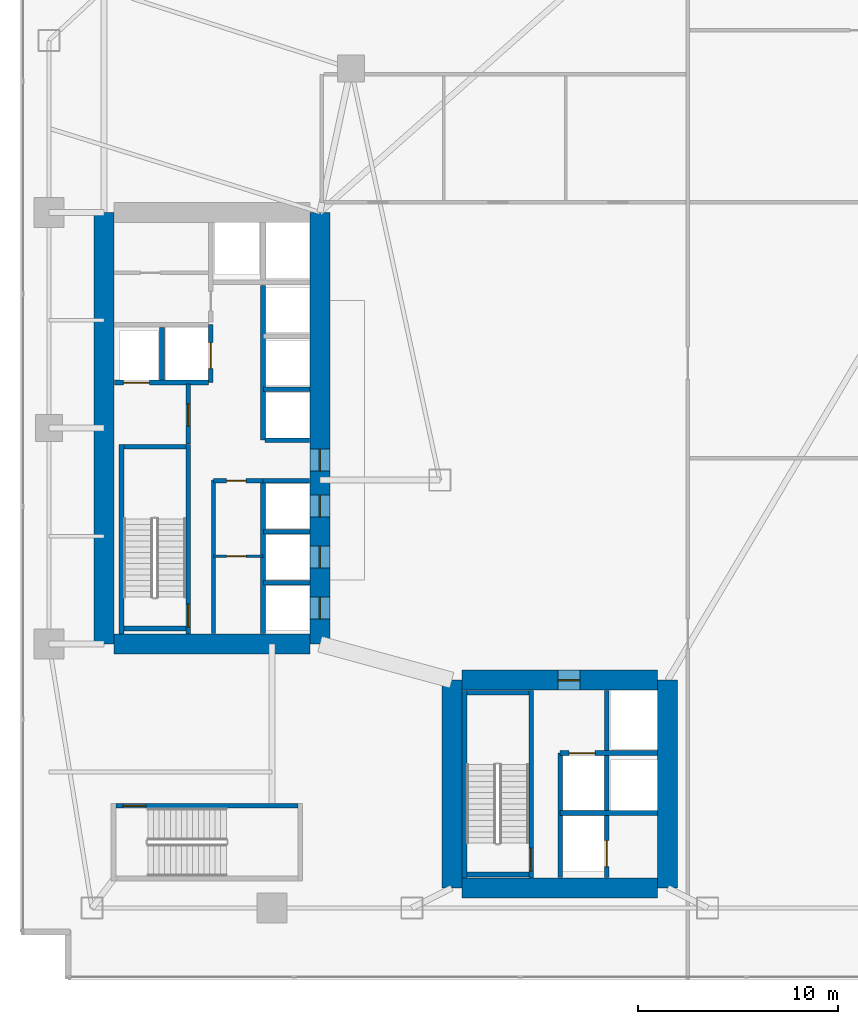
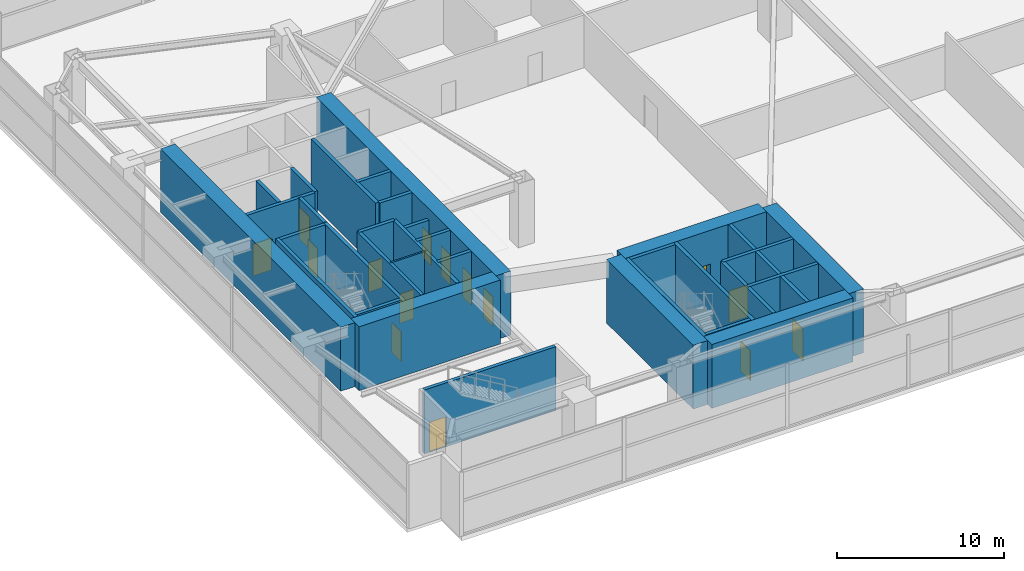
# One storey, part 30 of 35: 34 walls, 15 doors, 15 openings.
"""IFC4 building model written with IfcOpenShell, lengths in metres."""

from ifc_helpers import new_model, si_unit, direction, frame, frame_2d, origin, place, context, subcontext, project, spatial, rectangle, extrude, material, layer, layer_set, type_object, element, fill, save


model = new_model("IFC4")

# Units and contexts
model_context = context("Model", 3, precision=1e-05, world=origin(), true_north=direction((0.0, 1.0)))
body_context = subcontext(model_context, "Body", "Model", "MODEL_VIEW")
ifc_project = project(units=[si_unit("LENGTHUNIT", "METRE"), si_unit("AREAUNIT", "SQUARE_METRE"), si_unit("VOLUMEUNIT", "CUBIC_METRE"), si_unit("PLANEANGLEUNIT", "RADIAN"), si_unit("MASSUNIT", "GRAM", prefix="KILO")], contexts=[model_context])

# Site, building, storey
site_placement = place(None, origin())
site = spatial("IfcSite", under=ifc_project, at=site_placement, CompositionType="ELEMENT")
building_placement = place(site_placement, origin())
building = spatial("IfcBuilding", under=site, at=building_placement, Name="Calvorn Quay Hotel", CompositionType="ELEMENT")
storey_placement = place(building_placement, frame((0.0, 0.0, 12.0)))
storey = spatial("IfcBuildingStorey", under=building, at=storey_placement, Name="L02", CompositionType="ELEMENT", Elevation=12.0)

# Wall
ifc_material_1 = material(Name="Concrete C60", Category="concrete")
ifc_layer_1 = layer(ifc_material_1, 1.0)
ifc_layer_set_1 = layer_set([ifc_layer_1], Name="WL-CORE-1000")
wall_type_1 = type_object("IfcWallType", Name="WL-CORE-1000", PredefinedType="SHEAR", material=ifc_layer_set_1)
wall_1_placement = place(storey_placement, frame((4.199951171875, 16.800048828125, 0.0), z_axis=(0.0, 0.0, 1.0), x_axis=(0.0, 1.0, 0.0)))
element("IfcWall", 1, at=wall_1_placement, inside=storey, type_object=wall_type_1, Name="West Core Shear Wall W (L02)", PredefinedType="SHEAR", context=body_context, shape_type="SweptSolid", body=[
    extrude(rectangle(XDim=21.599853515625, YDim=1.0, at=frame_2d((10.7998046875, 0.0))), origin(), (0.0, 0.0, 1.0), 4.679931640625),
])

# Wall, openings, doors
wall_2_placement = place(storey_placement, frame((15.0, 16.800048828125, 0.0), z_axis=(0.0, 0.0, 1.0), x_axis=(0.0, 1.0, 0.0)))
wall_2 = element("IfcWall", 2, at=wall_2_placement, inside=storey, type_object=wall_type_1, Name="West Core Shear Wall E (L02)", PredefinedType="SHEAR", context=body_context, shape_type="SweptSolid", body=[
    extrude(rectangle(XDim=21.599853515625, YDim=1.0, at=frame_2d((10.7998046875, 0.0))), origin(), (0.0, 0.0, 1.0), 4.679931640625),
])
opening_1_placement = place(wall_2_placement, frame((8.64990234375, 0.0, 0.0)))
opening_1 = element("IfcOpeningElement", 3, at=opening_1_placement, cuts=wall_2, Name="Opening D-L02-CW1", PredefinedType="OPENING", context=body_context, shape_type="SweptSolid", body=[
    extrude(rectangle(XDim=1.10009765625, YDim=2.199951171875, at=frame_2d((0.550048828125, 1.10009765625))), frame((0.0, 0.510009765625, 0.0), z_axis=(0.0, -1.0, 0.0), x_axis=(1.0, 0.0, 0.0)), (0.0, 0.0, 1.0), 1.02001953125),
])
opening_2_placement = place(wall_2_placement, frame((1.25, 0.0, 0.0)))
opening_2 = element("IfcOpeningElement", 4, at=opening_2_placement, cuts=wall_2, Name="Opening LD-L02-L1", PredefinedType="OPENING", context=body_context, shape_type="SweptSolid", body=[
    extrude(rectangle(XDim=1.10009765625, YDim=2.199951171875, at=frame_2d((0.550048828125, 1.10009765625))), frame((0.0, 0.510009765625, 0.0), z_axis=(0.0, -1.0, 0.0), x_axis=(1.0, 0.0, 0.0)), (0.0, 0.0, 1.0), 1.02001953125),
])
opening_3_placement = place(wall_2_placement, frame((3.800048828125, 0.0, 0.0)))
opening_3 = element("IfcOpeningElement", 5, at=opening_3_placement, cuts=wall_2, Name="Opening LD-L02-L2", PredefinedType="OPENING", context=body_context, shape_type="SweptSolid", body=[
    extrude(rectangle(XDim=1.10009765625, YDim=2.199951171875, at=frame_2d((0.550048828125, 1.10009765625))), frame((0.0, 0.510009765625, 0.0), z_axis=(0.0, -1.0, 0.0), x_axis=(1.0, 0.0, 0.0)), (0.0, 0.0, 1.0), 1.02001953125),
])
opening_4_placement = place(wall_2_placement, frame((6.35009765625, 0.0, 0.0)))
opening_4 = element("IfcOpeningElement", 6, at=opening_4_placement, cuts=wall_2, Name="Opening LD-L02-L3", PredefinedType="OPENING", context=body_context, shape_type="SweptSolid", body=[
    extrude(rectangle(XDim=1.10009765625, YDim=2.199951171875, at=frame_2d((0.550048828125, 1.10009765625))), frame((0.0, 0.510009765625, 0.0), z_axis=(0.0, -1.0, 0.0), x_axis=(1.0, 0.0, 0.0)), (0.0, 0.0, 1.0), 1.02001953125),
])
ifc_material_2 = material(Name="Smoke-Sealed Steel Class A Fire Door", Category="steel")
door_type_1 = type_object("IfcDoorType", Name="DR-FFLOBBY-1100", OperationType="NOTDEFINED", PredefinedType="DOOR", material=ifc_material_2)
door_1_placement = place(opening_1_placement, origin())
door_1 = element("IfcDoor", 7, at=door_1_placement, inside=storey, type_object=door_type_1, Name="West Core Vestibule Fire Door (L02)", OperationType="SINGLE_SWING_LEFT", OverallHeight=2.199951171875, OverallWidth=1.10009765625, PredefinedType="DOOR", context=body_context, shape_type="SweptSolid", body=[
    extrude(rectangle(XDim=1.10009765625, YDim=2.199951171875, at=frame_2d((0.550048828125, 1.10009765625))), frame((0.0, 0.02490234375, 0.0), z_axis=(0.0, -1.0, 0.0), x_axis=(1.0, 0.0, 0.0)), (0.0, 0.0, 1.0), 0.050048828125),
])
fill(opening_1, door_1)
ifc_material_3 = material(Name="Brushed Stainless Steel Sliding Lift Landing Door", Category="steel")
door_type_2 = type_object("IfcDoorType", Name="DR-LIFT-PASS-1100", OperationType="NOTDEFINED", PredefinedType="DOOR", material=ifc_material_3)
door_2_placement = place(opening_2_placement, origin())
door_2 = element("IfcDoor", 8, at=door_2_placement, inside=storey, type_object=door_type_2, Name="Low-Rise Lift PL-L1 Landing Door (L02)", OperationType="DOUBLE_DOOR_SLIDING", OverallHeight=2.199951171875, OverallWidth=1.10009765625, PredefinedType="DOOR", context=body_context, shape_type="SweptSolid", body=[
    extrude(rectangle(XDim=1.10009765625, YDim=2.199951171875, at=frame_2d((0.550048828125, 1.10009765625))), frame((0.0, 0.02490234375, 0.0), z_axis=(0.0, -1.0, 0.0), x_axis=(1.0, 0.0, 0.0)), (0.0, 0.0, 1.0), 0.050048828125),
])
fill(opening_2, door_2)
door_3_placement = place(opening_3_placement, origin())
door_3 = element("IfcDoor", 9, at=door_3_placement, inside=storey, type_object=door_type_2, Name="Low-Rise Lift PL-L2 Landing Door (L02)", OperationType="DOUBLE_DOOR_SLIDING", OverallHeight=2.199951171875, OverallWidth=1.10009765625, PredefinedType="DOOR", context=body_context, shape_type="SweptSolid", body=[
    extrude(rectangle(XDim=1.10009765625, YDim=2.199951171875, at=frame_2d((0.550048828125, 1.10009765625))), frame((0.0, 0.02490234375, 0.0), z_axis=(0.0, -1.0, 0.0), x_axis=(1.0, 0.0, 0.0)), (0.0, 0.0, 1.0), 0.050048828125),
])
fill(opening_3, door_3)
door_4_placement = place(opening_4_placement, origin())
door_4 = element("IfcDoor", 10, at=door_4_placement, inside=storey, type_object=door_type_2, Name="Low-Rise Lift PL-L3 Landing Door (L02)", OperationType="DOUBLE_DOOR_SLIDING", OverallHeight=2.199951171875, OverallWidth=1.10009765625, PredefinedType="DOOR", context=body_context, shape_type="SweptSolid", body=[
    extrude(rectangle(XDim=1.10009765625, YDim=2.199951171875, at=frame_2d((0.550048828125, 1.10009765625))), frame((0.0, 0.02490234375, 0.0), z_axis=(0.0, -1.0, 0.0), x_axis=(1.0, 0.0, 0.0)), (0.0, 0.0, 1.0), 0.050048828125),
])
fill(opening_4, door_4)

# Walls
wall_3_placement = place(storey_placement, frame((4.699951171875, 16.800048828125, 0.0), z_axis=(0.0, 0.0, 1.0), x_axis=(1.0, 0.0, 0.0)))
element("IfcWall", 11, at=wall_3_placement, inside=storey, type_object=wall_type_1, Name="West Core Shear Wall S (L02)", PredefinedType="SHEAR", context=body_context, shape_type="SweptSolid", body=[
    extrude(rectangle(XDim=9.800048828125, YDim=1.0, at=frame_2d((4.89990234375, 0.0))), origin(), (0.0, 0.0, 1.0), 4.679931640625),
])
for number, where, z_axis, x_axis, name in (
    (12, (21.60009765625, 4.60009765625, 0.0), (0.0, 0.0, 1.0), (0.0, 1.0, 0.0), "East Core Shear Wall W (L02)"),
    (13, (32.39990234375, 4.60009765625, 0.0), (0.0, 0.0, 1.0), (0.0, 1.0, 0.0), "East Core Shear Wall E (L02)"),
):
    element("IfcWall", number, at=place(storey_placement, frame(where, z_axis=z_axis, x_axis=x_axis)), inside=storey, type_object=wall_type_1, Name=name, PredefinedType="SHEAR", context=body_context, shape_type="SweptSolid", body=[
        extrude(rectangle(XDim=10.39990234375, YDim=1.0, at=frame_2d((5.199951171875, 0.0))), origin(), (0.0, 0.0, 1.0), 4.679931640625),
    ])

# Wall, opening, door
wall_4_placement = place(storey_placement, frame((22.10009765625, 15.0, 0.0), z_axis=(0.0, 0.0, 1.0), x_axis=(1.0, 0.0, 0.0)))
wall_4 = element("IfcWall", 14, at=wall_4_placement, inside=storey, type_object=wall_type_1, Name="East Core Shear Wall N (L02)", PredefinedType="SHEAR", context=body_context, shape_type="SweptSolid", body=[
    extrude(rectangle(XDim=9.7998046875, YDim=1.0, at=frame_2d((4.89990234375, 0.0))), origin(), (0.0, 0.0, 1.0), 4.679931640625),
])
opening_5_placement = place(wall_4_placement, frame((4.800048828125, 0.0, 0.0)))
opening_5 = element("IfcOpeningElement", 15, at=opening_5_placement, cuts=wall_4, Name="Opening D-L02-FLE", PredefinedType="OPENING", context=body_context, shape_type="SweptSolid", body=[
    extrude(rectangle(XDim=1.10009765625, YDim=2.199951171875, at=frame_2d((0.550048828125, 1.10009765625))), frame((0.0, 0.510009765625, 0.0), z_axis=(0.0, -1.0, 0.0), x_axis=(1.0, 0.0, 0.0)), (0.0, 0.0, 1.0), 1.02001953125),
])
door_5_placement = place(opening_5_placement, origin())
door_5 = element("IfcDoor", 16, at=door_5_placement, inside=storey, type_object=door_type_1, Name="East Firefighting Lobby Fire Door (L02)", OperationType="SINGLE_SWING_RIGHT", OverallHeight=2.199951171875, OverallWidth=1.10009765625, PredefinedType="DOOR", context=body_context, shape_type="SweptSolid", body=[
    extrude(rectangle(XDim=1.10009765625, YDim=2.199951171875, at=frame_2d((0.550048828125, 1.10009765625))), frame((0.0, 0.02490234375, 0.0), z_axis=(0.0, -1.0, 0.0), x_axis=(1.0, 0.0, 0.0)), (0.0, 0.0, 1.0), 0.050048828125),
])
fill(opening_5, door_5)

# Wall
wall_5_placement = place(storey_placement, frame((22.10009765625, 4.60009765625, 0.0), z_axis=(0.0, 0.0, 1.0), x_axis=(1.0, 0.0, 0.0)))
element("IfcWall", 17, at=wall_5_placement, inside=storey, type_object=wall_type_1, Name="East Core Shear Wall S (L02)", PredefinedType="SHEAR", context=body_context, shape_type="SweptSolid", body=[
    extrude(rectangle(XDim=9.7998046875, YDim=1.0, at=frame_2d((4.89990234375, 0.0))), origin(), (0.0, 0.0, 1.0), 4.679931640625),
])

# Wall, opening, door
ifc_material_4 = material(Name="Moisture-Resistant Tile-Backed Partition")
ifc_layer_2 = layer(ifc_material_4, 0.125)
ifc_layer_set_2 = layer_set([ifc_layer_2], Name="WL-ENSUITE-125")
wall_type_2 = type_object("IfcWallType", Name="WL-ENSUITE-125", PredefinedType="PARTITIONING", material=ifc_layer_set_2)
wall_6_placement = place(storey_placement, frame((9.679931640625, 21.199951171875, 0.0), z_axis=(0.0, 0.0, 1.0), x_axis=(1.0, 0.0, 0.0)))
wall_6 = element("IfcWall", 18, at=wall_6_placement, inside=storey, type_object=wall_type_2, Name="Partition Wall L02-WL-CWW-SER-M", PredefinedType="PARTITIONING", context=body_context, shape_type="SweptSolid", body=[
    extrude(rectangle(XDim=2.469970703125, YDim=0.125, at=frame_2d((1.23486328125, 0.0))), origin(), (0.0, 0.0, 1.0), 4.679931640625),
])
opening_6_placement = place(wall_6_placement, frame((0.64990234375, 0.0, 0.0)))
opening_6 = element("IfcOpeningElement", 19, at=opening_6_placement, cuts=wall_6, Name="Opening D-L02-CSM", PredefinedType="OPENING", context=body_context, shape_type="SweptSolid", body=[
    extrude(rectangle(XDim=0.97998046875, YDim=2.14990234375, at=frame_2d((0.489990234375, 1.074951171875))), frame((0.0, 0.072509765625, 0.0), z_axis=(0.0, -1.0, 0.0), x_axis=(1.0, 0.0, 0.0)), (0.0, 0.0, 1.0), 0.14501953125),
])
ifc_material_5 = material(Name="Painted Steel Housekeeping/Riser Fire Door", Category="steel")
door_type_3 = type_object("IfcDoorType", Name="DR-SERVICE-980", OperationType="NOTDEFINED", PredefinedType="DOOR", material=ifc_material_5)
door_6_placement = place(opening_6_placement, origin())
door_6 = element("IfcDoor", 20, at=door_6_placement, inside=storey, type_object=door_type_3, Name="Core Valet Pantry Door (L02)", OperationType="SINGLE_SWING_LEFT", OverallHeight=2.14990234375, OverallWidth=0.97998046875, PredefinedType="DOOR", context=body_context, shape_type="SweptSolid", body=[
    extrude(rectangle(XDim=0.97998046875, YDim=2.14990234375, at=frame_2d((0.489990234375, 1.074951171875))), frame((0.0, 0.02490234375, 0.0), z_axis=(0.0, -1.0, 0.0), x_axis=(1.0, 0.0, 0.0)), (0.0, 0.0, 1.0), 0.050048828125),
])
fill(opening_6, door_6)

# Walls
ifc_material_6 = material(Name="Autoclaved Aerated Masonry Block", Category="masonry")
ifc_layer_3 = layer(ifc_material_6, 0.219970703125)
ifc_layer_set_3 = layer_set([ifc_layer_3], Name="WL-LOBBY-FIRE-220")
wall_type_3 = type_object("IfcWallType", Name="WL-LOBBY-FIRE-220", PredefinedType="SOLIDWALL", material=ifc_layer_set_3)
wall_7_placement = place(storey_placement, frame((9.679931640625, 17.320068359375, 0.0), z_axis=(0.0, 0.0, 1.0), x_axis=(0.0, 1.0, 0.0)))
element("IfcWall", 21, at=wall_7_placement, inside=storey, type_object=wall_type_3, Name="Partition Wall L02-WL-CWW-STW-HALL-E", PredefinedType="SOLIDWALL", context=body_context, shape_type="SweptSolid", body=[
    extrude(rectangle(XDim=7.679931640625, YDim=0.219970703125, at=frame_2d((3.83984375, 0.0))), origin(), (0.0, 0.0, 1.0), 4.679931640625),
])
ifc_material_7 = material(Name="Concrete C40", Category="concrete")
ifc_layer_4 = layer(ifc_material_7, 0.239990234375)
ifc_layer_set_4 = layer_set([ifc_layer_4], Name="WL-SHAFT-240")
wall_type_4 = type_object("IfcWallType", Name="WL-SHAFT-240", PredefinedType="SOLIDWALL", material=ifc_layer_set_4)
wall_8_placement = place(storey_placement, frame((5.080078125, 17.300048828125, 0.0), z_axis=(0.0, 0.0, 1.0), x_axis=(0.0, 1.0, 0.0)))
element("IfcWall", 22, at=wall_8_placement, inside=storey, type_object=wall_type_4, Name="Stair STW Shaft Wall W (L02)", PredefinedType="SOLIDWALL", context=body_context, shape_type="SweptSolid", body=[
    extrude(rectangle(XDim=9.489990234375, YDim=0.239990234375, at=frame_2d((4.7451171875, 0.0))), origin(), (0.0, 0.0, 1.0), 4.679931640625),
])

# Wall, opening, door
wall_9_placement = place(storey_placement, frame((8.419921875, 17.300048828125, 0.0), z_axis=(0.0, 0.0, 1.0), x_axis=(0.0, 1.0, 0.0)))
wall_9 = element("IfcWall", 23, at=wall_9_placement, inside=storey, type_object=wall_type_4, Name="Stair STW Shaft Wall E (L02)", PredefinedType="SOLIDWALL", context=body_context, shape_type="SweptSolid", body=[
    extrude(rectangle(XDim=9.489990234375, YDim=0.239990234375, at=frame_2d((4.7451171875, 0.0))), origin(), (0.0, 0.0, 1.0), 4.679931640625),
])
opening_7_placement = place(wall_9_placement, frame((0.35009765625, 0.0, 0.0)))
opening_7 = element("IfcOpeningElement", 24, at=opening_7_placement, cuts=wall_9, Name="Opening D-L02-STW", PredefinedType="OPENING", context=body_context, shape_type="SweptSolid", body=[
    extrude(rectangle(XDim=1.14990234375, YDim=2.199951171875, at=frame_2d((0.574951171875, 1.10009765625))), frame((0.0, 0.1298828125, 0.0), z_axis=(0.0, -1.0, 0.0), x_axis=(1.0, 0.0, 0.0)), (0.0, 0.0, 1.0), 0.260009765625),
])
ifc_material_8 = material(Name="Galvanised Steel Class A Fire Door", Category="steel")
door_type_4 = type_object("IfcDoorType", Name="DR-STAIR-SMOKE-1150", OperationType="NOTDEFINED", PredefinedType="DOOR", material=ifc_material_8)
door_7_placement = place(opening_7_placement, origin())
door_7 = element("IfcDoor", 25, at=door_7_placement, inside=storey, type_object=door_type_4, Name="Stair ST-W Fire Door (L02)", OperationType="SINGLE_SWING_LEFT", OverallHeight=2.199951171875, OverallWidth=1.14990234375, PredefinedType="DOOR", context=body_context, shape_type="SweptSolid", body=[
    extrude(rectangle(XDim=1.14990234375, YDim=2.199951171875, at=frame_2d((0.574951171875, 1.10009765625))), frame((0.0, 0.02490234375, 0.0), z_axis=(0.0, -1.0, 0.0), x_axis=(1.0, 0.0, 0.0)), (0.0, 0.0, 1.0), 0.050048828125),
])
fill(opening_7, door_7)

# Walls
for number, where, z_axis, x_axis, name in (
    (26, (5.199951171875, 17.580078125, 0.0), (0.0, 0.0, 1.0), (1.0, 0.0, 0.0), "Stair STW Shaft Wall S (L02)"),
    (27, (5.199951171875, 26.669921875, 0.0), (0.0, 0.0, 1.0), (1.0, 0.0, 0.0), "Stair STW Shaft Wall N (L02)"),
):
    element("IfcWall", number, at=place(storey_placement, frame(where, z_axis=z_axis, x_axis=x_axis)), inside=storey, type_object=wall_type_4, Name=name, PredefinedType="SOLIDWALL", context=body_context, shape_type="SweptSolid", body=[
        extrude(rectangle(XDim=3.10009765625, YDim=0.239990234375, at=frame_2d((1.550048828125, 0.0))), origin(), (0.0, 0.0, 1.0), 4.679931640625),
    ])
wall_10_placement = place(storey_placement, frame((22.22998046875, 5.10009765625, 0.0), z_axis=(0.0, 0.0, 1.0), x_axis=(0.0, 1.0, 0.0)))
element("IfcWall", 28, at=wall_10_placement, inside=storey, type_object=wall_type_4, Name="Stair STE Shaft Wall W (L02)", PredefinedType="SOLIDWALL", context=body_context, shape_type="SweptSolid", body=[
    extrude(rectangle(XDim=9.389892578125, YDim=0.239990234375, at=frame_2d((4.69482421875, 0.0))), origin(), (0.0, 0.0, 1.0), 4.679931640625),
])

# Wall, opening, door
wall_11_placement = place(storey_placement, frame((25.570068359375, 5.10009765625, 0.0), z_axis=(0.0, 0.0, 1.0), x_axis=(0.0, 1.0, 0.0)))
wall_11 = element("IfcWall", 29, at=wall_11_placement, inside=storey, type_object=wall_type_4, Name="Stair STE Shaft Wall E (L02)", PredefinedType="SOLIDWALL", context=body_context, shape_type="SweptSolid", body=[
    extrude(rectangle(XDim=9.389892578125, YDim=0.239990234375, at=frame_2d((4.69482421875, 0.0))), origin(), (0.0, 0.0, 1.0), 4.679931640625),
])
opening_8_placement = place(wall_11_placement, frame((0.35009765625, 0.0, 0.0)))
opening_8 = element("IfcOpeningElement", 30, at=opening_8_placement, cuts=wall_11, Name="Opening D-L02-STE", PredefinedType="OPENING", context=body_context, shape_type="SweptSolid", body=[
    extrude(rectangle(XDim=1.14990234375, YDim=2.199951171875, at=frame_2d((0.574951171875, 1.10009765625))), frame((0.0, 0.1298828125, 0.0), z_axis=(0.0, -1.0, 0.0), x_axis=(1.0, 0.0, 0.0)), (0.0, 0.0, 1.0), 0.260009765625),
])
door_8_placement = place(opening_8_placement, origin())
door_8 = element("IfcDoor", 31, at=door_8_placement, inside=storey, type_object=door_type_4, Name="Stair ST-E Fire Door (L02)", OperationType="SINGLE_SWING_RIGHT", OverallHeight=2.199951171875, OverallWidth=1.14990234375, PredefinedType="DOOR", context=body_context, shape_type="SweptSolid", body=[
    extrude(rectangle(XDim=1.14990234375, YDim=2.199951171875, at=frame_2d((0.574951171875, 1.10009765625))), frame((0.0, 0.02490234375, 0.0), z_axis=(0.0, -1.0, 0.0), x_axis=(1.0, 0.0, 0.0)), (0.0, 0.0, 1.0), 0.050048828125),
])
fill(opening_8, door_8)

# Walls
for number, where, z_axis, x_axis, name in (
    (32, (22.35009765625, 5.280029296875, 0.0), (0.0, 0.0, 1.0), (1.0, 0.0, 0.0), "Stair STE Shaft Wall S (L02)"),
    (33, (22.35009765625, 14.3701171875, 0.0), (0.0, 0.0, 1.0), (1.0, 0.0, 0.0), "Stair STE Shaft Wall N (L02)"),
):
    element("IfcWall", number, at=place(storey_placement, frame(where, z_axis=z_axis, x_axis=x_axis)), inside=storey, type_object=wall_type_4, Name=name, PredefinedType="SOLIDWALL", context=body_context, shape_type="SweptSolid", body=[
        extrude(rectangle(XDim=3.099853515625, YDim=0.239990234375, at=frame_2d((1.5498046875, 0.0))), origin(), (0.0, 0.0, 1.0), 4.679931640625),
    ])

# Wall, opening, door
wall_12_placement = place(storey_placement, frame((4.800048828125, 8.719970703125, 0.0), z_axis=(0.0, 0.0, 1.0), x_axis=(1.0, 0.0, 0.0)))
wall_12 = element("IfcWall", 34, at=wall_12_placement, inside=storey, type_object=wall_type_4, Name="Stair STP2 Shaft Wall N (L02)", PredefinedType="SOLIDWALL", context=body_context, shape_type="SweptSolid", body=[
    extrude(rectangle(XDim=9.099853515625, YDim=0.239990234375, at=frame_2d((4.5498046875, 0.0))), origin(), (0.0, 0.0, 1.0), 4.679931640625),
])
opening_9_placement = place(wall_12_placement, frame((0.35009765625, 0.0, 0.0)))
opening_9 = element("IfcOpeningElement", 35, at=opening_9_placement, cuts=wall_12, Name="Opening D-L02-STP2", PredefinedType="OPENING", context=body_context, shape_type="SweptSolid", body=[
    extrude(rectangle(XDim=1.14990234375, YDim=2.199951171875, at=frame_2d((0.574951171875, 1.10009765625))), frame((0.0, 0.1298828125, 0.0), z_axis=(0.0, -1.0, 0.0), x_axis=(1.0, 0.0, 0.0)), (0.0, 0.0, 1.0), 0.260009765625),
])
door_9_placement = place(opening_9_placement, origin())
door_9 = element("IfcDoor", 36, at=door_9_placement, inside=storey, type_object=door_type_4, Name="Podium Stair ST-P2 Fire Door (L02)", OperationType="SINGLE_SWING_RIGHT", OverallHeight=2.199951171875, OverallWidth=1.14990234375, PredefinedType="DOOR", context=body_context, shape_type="SweptSolid", body=[
    extrude(rectangle(XDim=1.14990234375, YDim=2.199951171875, at=frame_2d((0.574951171875, 1.10009765625))), frame((0.0, 0.02490234375, 0.0), z_axis=(0.0, -1.0, 0.0), x_axis=(1.0, 0.0, 0.0)), (0.0, 0.0, 1.0), 0.050048828125),
])
fill(opening_9, door_9)

# Walls
for number, where, z_axis, x_axis, name in (
    (37, (12.179931640625, 19.875, 0.0), (0.0, 0.0, 1.0), (1.0, 0.0, 0.0), "Lift Hoistway Divider Wall PLL12 (L02)"),
    (38, (12.179931640625, 22.425048828125, 0.0), (0.0, 0.0, 1.0), (1.0, 0.0, 0.0), "Lift Hoistway Divider Wall PLL23 (L02)"),
    (39, (12.179931640625, 29.550048828125, 0.0), (0.0, 0.0, 1.0), (1.0, 0.0, 0.0), "Lift Hoistway Divider Wall PLM12 (L02)"),
):
    element("IfcWall", number, at=place(storey_placement, frame(where, z_axis=z_axis, x_axis=x_axis)), inside=storey, type_object=wall_type_4, Name=name, PredefinedType="SOLIDWALL", context=body_context, shape_type="SweptSolid", body=[
        extrude(rectangle(XDim=2.320068359375, YDim=0.239990234375, at=frame_2d((1.16015625, 0.0))), origin(), (0.0, 0.0, 1.0), 4.679931640625),
    ])

# Wall, opening, door
wall_13_placement = place(storey_placement, frame((8.419921875, 26.820068359375, 0.0), z_axis=(0.0, 0.0, 1.0), x_axis=(0.0, 1.0, 0.0)))
wall_13 = element("IfcWall", 40, at=wall_13_placement, inside=storey, type_object=wall_type_4, Name="Partition Wall L02-WL-CWW-FFL-E", PredefinedType="SOLIDWALL", context=body_context, shape_type="SweptSolid", body=[
    extrude(rectangle(XDim=3.0, YDim=0.239990234375, at=frame_2d((1.5, 0.0))), origin(), (0.0, 0.0, 1.0), 4.679931640625),
])
opening_10_placement = place(wall_13_placement, frame((0.89990234375, 0.0, 0.0)))
opening_10 = element("IfcOpeningElement", 41, at=opening_10_placement, cuts=wall_13, Name="Opening D-L02-FLW", PredefinedType="OPENING", context=body_context, shape_type="SweptSolid", body=[
    extrude(rectangle(XDim=1.10009765625, YDim=2.199951171875, at=frame_2d((0.550048828125, 1.10009765625))), frame((0.0, 0.1298828125, 0.0), z_axis=(0.0, -1.0, 0.0), x_axis=(1.0, 0.0, 0.0)), (0.0, 0.0, 1.0), 0.260009765625),
])
door_10_placement = place(opening_10_placement, origin())
door_10 = element("IfcDoor", 42, at=door_10_placement, inside=storey, type_object=door_type_1, Name="West Firefighting Lobby Fire Door (L02)", OperationType="SINGLE_SWING_RIGHT", OverallHeight=2.199951171875, OverallWidth=1.10009765625, PredefinedType="DOOR", context=body_context, shape_type="SweptSolid", body=[
    extrude(rectangle(XDim=1.10009765625, YDim=2.199951171875, at=frame_2d((0.550048828125, 1.10009765625))), frame((0.0, 0.02490234375, 0.0), z_axis=(0.0, -1.0, 0.0), x_axis=(1.0, 0.0, 0.0)), (0.0, 0.0, 1.0), 0.050048828125),
])
fill(opening_10, door_10)

wall_14_placement = place(storey_placement, frame((4.719970703125, 29.8798828125, 0.0), z_axis=(0.0, 0.0, 1.0), x_axis=(1.0, 0.0, 0.0)))
wall_14 = element("IfcWall", 43, at=wall_14_placement, inside=storey, type_object=wall_type_4, Name="Partition Wall L02-WL-CWW-FLW-S", PredefinedType="SOLIDWALL", context=body_context, shape_type="SweptSolid", body=[
    extrude(rectangle(XDim=4.699951171875, YDim=0.239990234375, at=frame_2d((2.35009765625, 0.0))), origin(), (0.0, 0.0, 1.0), 4.679931640625),
])
opening_11_placement = place(wall_14_placement, frame((0.449951171875, 0.0, 0.0)))
opening_11 = element("IfcOpeningElement", 44, at=opening_11_placement, cuts=wall_14, Name="Opening LD-L02-FLW1", PredefinedType="OPENING", context=body_context, shape_type="SweptSolid", body=[
    extrude(rectangle(XDim=1.300048828125, YDim=2.35009765625, at=frame_2d((0.64990234375, 1.175048828125))), frame((0.0, 0.1298828125, 0.0), z_axis=(0.0, -1.0, 0.0), x_axis=(1.0, 0.0, 0.0)), (0.0, 0.0, 1.0), 0.260009765625),
])
ifc_material_9 = material(Name="Champagne-Bronze Sliding Express Lift Landing Door")
door_type_5 = type_object("IfcDoorType", Name="DR-LIFT-SHUTTLE-1300", OperationType="NOTDEFINED", PredefinedType="DOOR", material=ifc_material_9)
door_11_placement = place(opening_11_placement, origin())
door_11 = element("IfcDoor", 45, at=door_11_placement, inside=storey, type_object=door_type_5, Name="Firefighting Lift FL-W1 Landing Door (L02)", OperationType="DOUBLE_DOOR_SLIDING", OverallHeight=2.35009765625, OverallWidth=1.300048828125, PredefinedType="DOOR", context=body_context, shape_type="SweptSolid", body=[
    extrude(rectangle(XDim=1.300048828125, YDim=2.35009765625, at=frame_2d((0.64990234375, 1.175048828125))), frame((0.0, 0.02490234375, 0.0), z_axis=(0.0, -1.0, 0.0), x_axis=(1.0, 0.0, 0.0)), (0.0, 0.0, 1.0), 0.050048828125),
])
fill(opening_11, door_11)

# Wall
wall_15_placement = place(storey_placement, frame((7.10009765625, 30.02001953125, 0.0), z_axis=(0.0, 0.0, 1.0), x_axis=(0.0, 1.0, 0.0)))
element("IfcWall", 46, at=wall_15_placement, inside=storey, type_object=wall_type_4, Name="Partition Wall L02-WL-CWW-FLW-DIV", PredefinedType="SOLIDWALL", context=body_context, shape_type="SweptSolid", body=[
    extrude(rectangle(XDim=2.6298828125, YDim=0.239990234375, at=frame_2d((1.31494140625, 0.0))), origin(), (0.0, 0.0, 1.0), 4.679931640625),
])

# Wall, opening, door
wall_16_placement = place(storey_placement, frame((9.5400390625, 29.8798828125, 0.0), z_axis=(0.0, 0.0, 1.0), x_axis=(0.0, 1.0, 0.0)))
wall_16 = element("IfcWall", 47, at=wall_16_placement, inside=storey, type_object=wall_type_4, Name="Partition Wall L02-WL-CWW-SLW-E", PredefinedType="SOLIDWALL", context=body_context, shape_type="SweptSolid", body=[
    extrude(rectangle(XDim=2.900146484375, YDim=0.239990234375, at=frame_2d((1.4501953125, 0.0))), origin(), (0.0, 0.0, 1.0), 4.679931640625),
])
opening_12_placement = place(wall_16_placement, frame((0.699951171875, 0.0, 0.0)))
opening_12 = element("IfcOpeningElement", 48, at=opening_12_placement, cuts=wall_16, Name="Opening LD-L02-SLW1", PredefinedType="OPENING", context=body_context, shape_type="SweptSolid", body=[
    extrude(rectangle(XDim=1.300048828125, YDim=2.35009765625, at=frame_2d((0.64990234375, 1.175048828125))), frame((0.0, 0.1298828125, 0.0), z_axis=(0.0, -1.0, 0.0), x_axis=(1.0, 0.0, 0.0)), (0.0, 0.0, 1.0), 0.260009765625),
])
door_12_placement = place(opening_12_placement, origin())
door_12 = element("IfcDoor", 49, at=door_12_placement, inside=storey, type_object=door_type_5, Name="Service Lift SL-W1 Landing Door (L02)", OperationType="DOUBLE_DOOR_SLIDING", OverallHeight=2.35009765625, OverallWidth=1.300048828125, PredefinedType="DOOR", context=body_context, shape_type="SweptSolid", body=[
    extrude(rectangle(XDim=1.300048828125, YDim=2.35009765625, at=frame_2d((0.64990234375, 1.175048828125))), frame((0.0, 0.02490234375, 0.0), z_axis=(0.0, -1.0, 0.0), x_axis=(1.0, 0.0, 0.0)), (0.0, 0.0, 1.0), 0.050048828125),
])
fill(opening_12, door_12)

# Wall
wall_17_placement = place(storey_placement, frame((12.14990234375, 17.320068359375, 0.0), z_axis=(0.0, 0.0, 1.0), x_axis=(0.0, 1.0, 0.0)))
element("IfcWall", 50, at=wall_17_placement, inside=storey, type_object=wall_type_4, Name="Partition Wall L02-WL-CWW-PLL-W", PredefinedType="SOLIDWALL", context=body_context, shape_type="SweptSolid", body=[
    extrude(rectangle(XDim=7.64990234375, YDim=0.239990234375, at=frame_2d((3.824951171875, 0.0))), origin(), (0.0, 0.0, 1.0), 4.679931640625),
])

# Wall, opening, door
wall_18_placement = place(storey_placement, frame((9.679931640625, 24.969970703125, 0.0), z_axis=(0.0, 0.0, 1.0), x_axis=(1.0, 0.0, 0.0)))
wall_18 = element("IfcWall", 51, at=wall_18_placement, inside=storey, type_object=wall_type_4, Name="Partition Wall L02-WL-CWW-SER-N", PredefinedType="SOLIDWALL", context=body_context, shape_type="SweptSolid", body=[
    extrude(rectangle(XDim=2.469970703125, YDim=0.239990234375, at=frame_2d((1.23486328125, 0.0))), origin(), (0.0, 0.0, 1.0), 4.679931640625),
])
opening_13_placement = place(wall_18_placement, frame((0.64990234375, 0.0, 0.0)))
opening_13 = element("IfcOpeningElement", 52, at=opening_13_placement, cuts=wall_18, Name="Opening D-L02-CSR", PredefinedType="OPENING", context=body_context, shape_type="SweptSolid", body=[
    extrude(rectangle(XDim=0.97998046875, YDim=2.14990234375, at=frame_2d((0.489990234375, 1.074951171875))), frame((0.0, 0.1298828125, 0.0), z_axis=(0.0, -1.0, 0.0), x_axis=(1.0, 0.0, 0.0)), (0.0, 0.0, 1.0), 0.260009765625),
])
door_13_placement = place(opening_13_placement, origin())
door_13 = element("IfcDoor", 53, at=door_13_placement, inside=storey, type_object=door_type_3, Name="Core Service Closet Door (L02)", OperationType="SINGLE_SWING_LEFT", OverallHeight=2.14990234375, OverallWidth=0.97998046875, PredefinedType="DOOR", context=body_context, shape_type="SweptSolid", body=[
    extrude(rectangle(XDim=0.97998046875, YDim=2.14990234375, at=frame_2d((0.489990234375, 1.074951171875))), frame((0.0, 0.02490234375, 0.0), z_axis=(0.0, -1.0, 0.0), x_axis=(1.0, 0.0, 0.0)), (0.0, 0.0, 1.0), 0.050048828125),
])
fill(opening_13, door_13)

# Walls
wall_19_placement = place(storey_placement, frame((12.14990234375, 24.969970703125, 0.0), z_axis=(0.0, 0.0, 1.0), x_axis=(1.0, 0.0, 0.0)))
element("IfcWall", 54, at=wall_19_placement, inside=storey, type_object=wall_type_4, Name="Partition Wall L02-WL-CWW-PLL-SHN", PredefinedType="SOLIDWALL", context=body_context, shape_type="SweptSolid", body=[
    extrude(rectangle(XDim=2.330078125, YDim=0.239990234375, at=frame_2d((1.1650390625, 0.0))), origin(), (0.0, 0.0, 1.0), 3.8798828125),
])
wall_20_placement = place(storey_placement, frame((12.25, 27.0, 0.0), z_axis=(0.0, 0.0, 1.0), x_axis=(1.0, 0.0, 0.0)))
element("IfcWall", 55, at=wall_20_placement, inside=storey, type_object=wall_type_4, Name="Partition Wall L02-WL-CWW-PLM-S", PredefinedType="SOLIDWALL", context=body_context, shape_type="SweptSolid", body=[
    extrude(rectangle(XDim=2.22998046875, YDim=0.239990234375, at=frame_2d((1.114990234375, 0.0))), origin(), (0.0, 0.0, 1.0), 4.679931640625),
])
wall_21_placement = place(storey_placement, frame((12.14990234375, 27.0, 0.0), z_axis=(0.0, 0.0, 1.0), x_axis=(0.0, 1.0, 0.0)))
element("IfcWall", 56, at=wall_21_placement, inside=storey, type_object=wall_type_4, Name="Partition Wall L02-WL-CWW-PLM-W", PredefinedType="SOLIDWALL", context=body_context, shape_type="SweptSolid", body=[
    extrude(rectangle(XDim=7.75, YDim=0.239990234375, at=frame_2d((3.875, 0.0))), origin(), (0.0, 0.0, 1.0), 4.679931640625),
])
wall_22_placement = place(storey_placement, frame((27.02001953125, 5.1201171875, 0.0), z_axis=(0.0, 0.0, 1.0), x_axis=(0.0, 1.0, 0.0)))
element("IfcWall", 57, at=wall_22_placement, inside=storey, type_object=wall_type_4, Name="Partition Wall L02-WL-CWE-SH-W", PredefinedType="SOLIDWALL", context=body_context, shape_type="SweptSolid", body=[
    extrude(rectangle(XDim=6.22998046875, YDim=0.239990234375, at=frame_2d((3.114990234375, 0.0))), origin(), (0.0, 0.0, 1.0), 4.679931640625),
])

# Wall, opening, door
wall_23_placement = place(storey_placement, frame((27.02001953125, 11.35009765625, 0.0), z_axis=(0.0, 0.0, 1.0), x_axis=(1.0, 0.0, 0.0)))
wall_23 = element("IfcWall", 58, at=wall_23_placement, inside=storey, type_object=wall_type_4, Name="Partition Wall L02-WL-CWE-FFL-S", PredefinedType="SOLIDWALL", context=body_context, shape_type="SweptSolid", body=[
    extrude(rectangle(XDim=4.85986328125, YDim=0.239990234375, at=frame_2d((2.429931640625, 0.0))), origin(), (0.0, 0.0, 1.0), 4.679931640625),
])
opening_14_placement = place(wall_23_placement, frame((0.449951171875, 0.0, 0.0)))
opening_14 = element("IfcOpeningElement", 59, at=opening_14_placement, cuts=wall_23, Name="Opening LD-L02-FLE1", PredefinedType="OPENING", context=body_context, shape_type="SweptSolid", body=[
    extrude(rectangle(XDim=1.300048828125, YDim=2.35009765625, at=frame_2d((0.64990234375, 1.175048828125))), frame((0.0, 0.1298828125, 0.0), z_axis=(0.0, -1.0, 0.0), x_axis=(1.0, 0.0, 0.0)), (0.0, 0.0, 1.0), 0.260009765625),
])
door_14_placement = place(opening_14_placement, origin())
door_14 = element("IfcDoor", 60, at=door_14_placement, inside=storey, type_object=door_type_5, Name="Firefighting Lift FL-E1 Landing Door (L02)", OperationType="DOUBLE_DOOR_SLIDING", OverallHeight=2.35009765625, OverallWidth=1.300048828125, PredefinedType="DOOR", context=body_context, shape_type="SweptSolid", body=[
    extrude(rectangle(XDim=1.300048828125, YDim=2.35009765625, at=frame_2d((0.64990234375, 1.175048828125))), frame((0.0, 0.02490234375, 0.0), z_axis=(0.0, -1.0, 0.0), x_axis=(1.0, 0.0, 0.0)), (0.0, 0.0, 1.0), 0.050048828125),
])
fill(opening_14, door_14)

# Wall
wall_24_placement = place(storey_placement, frame((27.02001953125, 8.35009765625, 0.0), z_axis=(0.0, 0.0, 1.0), x_axis=(1.0, 0.0, 0.0)))
element("IfcWall", 61, at=wall_24_placement, inside=storey, type_object=wall_type_4, Name="Partition Wall L02-WL-CWE-SL-N", PredefinedType="SOLIDWALL", context=body_context, shape_type="SweptSolid", body=[
    extrude(rectangle(XDim=4.85986328125, YDim=0.239990234375, at=frame_2d((2.429931640625, 0.0))), origin(), (0.0, 0.0, 1.0), 4.679931640625),
])

# Wall, opening, door
wall_25_placement = place(storey_placement, frame((29.35009765625, 5.1201171875, 0.0), z_axis=(0.0, 0.0, 1.0), x_axis=(0.0, 1.0, 0.0)))
wall_25 = element("IfcWall", 62, at=wall_25_placement, inside=storey, type_object=wall_type_4, Name="Partition Wall L02-WL-CWE-OB-W", PredefinedType="SOLIDWALL", context=body_context, shape_type="SweptSolid", body=[
    extrude(rectangle(XDim=9.35986328125, YDim=0.239990234375, at=frame_2d((4.679931640625, 0.0))), origin(), (0.0, 0.0, 1.0), 4.679931640625),
])
opening_15_placement = place(wall_25_placement, frame((0.550048828125, 0.0, 0.0)))
opening_15 = element("IfcOpeningElement", 63, at=opening_15_placement, cuts=wall_25, Name="Opening LD-L02-SLEI", PredefinedType="OPENING", context=body_context, shape_type="SweptSolid", body=[
    extrude(rectangle(XDim=1.300048828125, YDim=2.35009765625, at=frame_2d((0.64990234375, 1.175048828125))), frame((0.0, 0.1298828125, 0.0), z_axis=(0.0, -1.0, 0.0), x_axis=(1.0, 0.0, 0.0)), (0.0, 0.0, 1.0), 0.260009765625),
])
door_15_placement = place(opening_15_placement, origin())
door_15 = element("IfcDoor", 64, at=door_15_placement, inside=storey, type_object=door_type_5, Name="Service Lift SL-E1 Landing Door (L02)", OperationType="DOUBLE_DOOR_SLIDING", OverallHeight=2.35009765625, OverallWidth=1.300048828125, PredefinedType="DOOR", context=body_context, shape_type="SweptSolid", body=[
    extrude(rectangle(XDim=1.300048828125, YDim=2.35009765625, at=frame_2d((0.64990234375, 1.175048828125))), frame((0.0, 0.02490234375, 0.0), z_axis=(0.0, -1.0, 0.0), x_axis=(1.0, 0.0, 0.0)), (0.0, 0.0, 1.0), 0.050048828125),
])
fill(opening_15, door_15)

save(model, "model.ifc")
